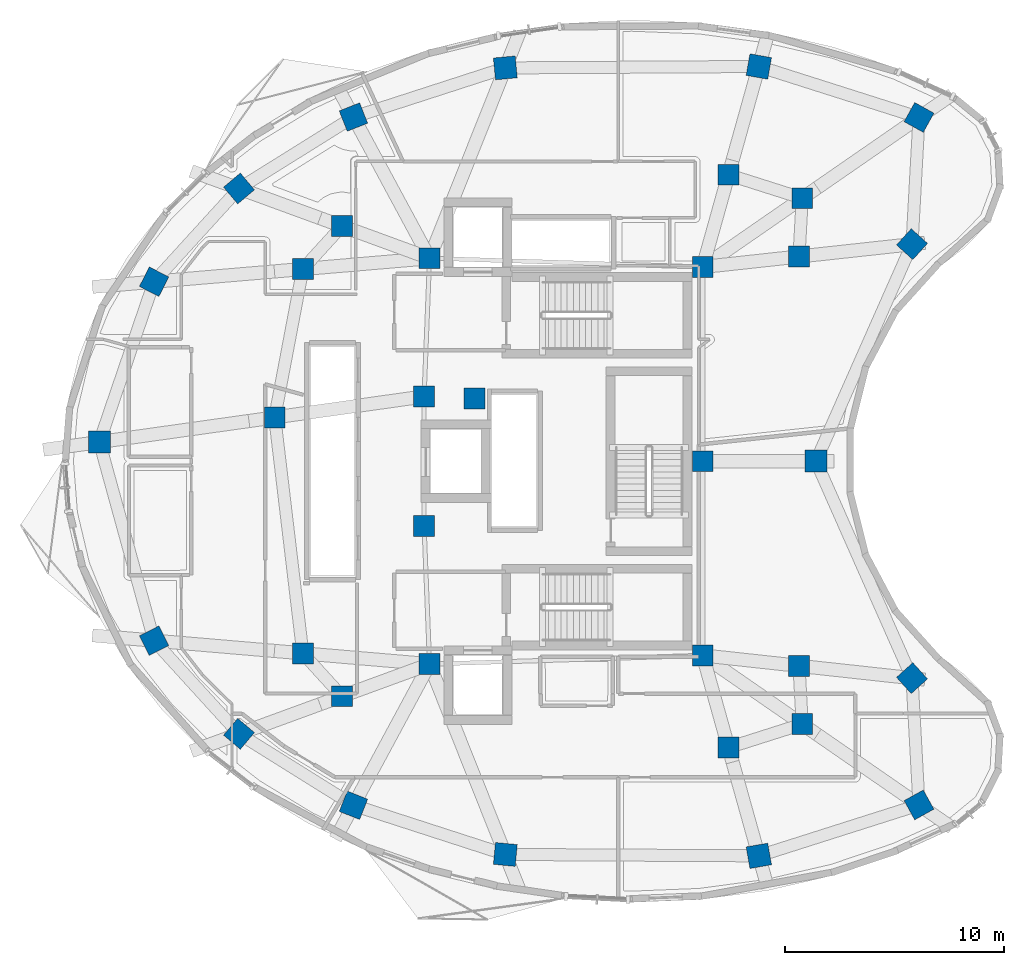
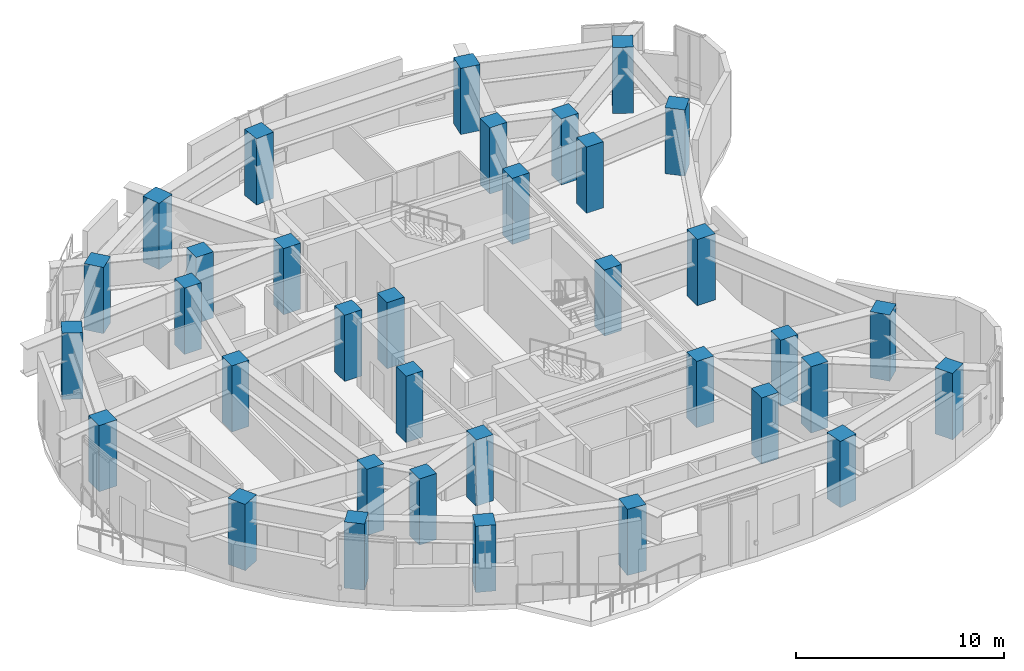
# One storey, part 1 of 13: 35 columns.
"""IFC4 building model written with IfcOpenShell, lengths in metres."""

from ifc_helpers import new_model, si_unit, direction, frame, origin, origin_2d, place, context, subcontext, project, spatial, rectangle, extrude, material, material_profile, profile_set, type_object, element, save


model = new_model("IFC4")

# Units and contexts
model_context = context("Model", 3, precision=1e-05, world=origin(), true_north=direction((0.0, 1.0)))
body_context = subcontext(model_context, "Body", "Model", "MODEL_VIEW")
ifc_project = project(units=[si_unit("LENGTHUNIT", "METRE"), si_unit("AREAUNIT", "SQUARE_METRE"), si_unit("VOLUMEUNIT", "CUBIC_METRE"), si_unit("PLANEANGLEUNIT", "RADIAN"), si_unit("MASSUNIT", "GRAM", prefix="KILO")], contexts=[model_context])

# Site, building, storey
site_placement = place(None, origin())
site = spatial("IfcSite", under=ifc_project, at=site_placement, CompositionType="ELEMENT")
building_placement = place(site_placement, origin())
building = spatial("IfcBuilding", under=site, at=building_placement, Name="Korentha Bioscience Tower", CompositionType="ELEMENT")
storey_placement = place(building_placement, frame((0.0, 0.0, 208.800048828125)))
storey = spatial("IfcBuildingStorey", under=building, at=storey_placement, Name="L48", CompositionType="ELEMENT", Elevation=208.800048828125)

# Columns
ifc_material = material(Name="Concrete C65", Category="concrete")
ifc_material_profile_1 = material_profile(ifc_material, rectangle(XDim=0.949951171875, YDim=0.949951171875, at=origin_2d()), Name="Concrete C65")
ifc_profile_set_1 = profile_set([ifc_material_profile_1], Name="Concrete C65 (COL-CP09)")
column_type_1 = type_object("IfcColumnType", Name="Core Pilaster Column RC 950x950", PredefinedType="PILASTER", material=ifc_profile_set_1)
for number, where, z_axis, x_axis, name in (
    (1, (37.550048828125, 35.85009765625, -0.00048828125), (0.0, 0.0, 1.0), (1.0, 0.0, 0.0), "L48 Core Pilaster CP-01"),
    (2, (25.10009765625, 36.25, -0.00048828125), (0.0, 0.0, 1.0), (1.0, 0.0, 0.0), "L48 Core Pilaster CP-02"),
    (3, (24.85009765625, 29.949951171875, -0.00048828125), (0.0, 0.0, 1.0), (1.0, 0.0, 0.0), "L48 Core Pilaster CP-03"),
    (4, (27.14990234375, 29.85009765625, -0.00048828125), (0.0, 0.0, 1.0), (1.0, 0.0, 0.0), "L48 Core Pilaster CP-04"),
    (5, (24.85009765625, 24.050048828125, -0.00048828125), (0.0, 0.0, 1.0), (1.0, 0.0, 0.0), "L48 Core Pilaster CP-05"),
    (6, (25.10009765625, 17.75, -0.00048828125), (0.0, 0.0, 1.0), (1.0, 0.0, 0.0), "L48 Core Pilaster CP-06"),
    (7, (37.550048828125, 18.14990234375, -0.00048828125), (0.0, 0.0, 1.0), (1.0, 0.0, 0.0), "L48 Core Pilaster CP-07"),
    (8, (37.550048828125, 27.0, -0.00048828125), (0.0, 0.0, 1.0), (1.0, 0.0, 0.0), "L48 Core Pilaster CP-08"),
):
    element("IfcColumn", number, at=place(storey_placement, frame(where, z_axis=z_axis, x_axis=x_axis)), inside=storey, type_object=column_type_1, Name=name, PredefinedType="PILASTER", context=body_context, shape_type="SweptSolid", body=[
        extrude(rectangle(XDim=0.949951171875, YDim=0.949951171875, at=origin_2d()), origin(), (0.0, 0.0, 1.0), 3.880859375),
    ])
ifc_material_profile_2 = material_profile(ifc_material, rectangle(XDim=0.949951171875, YDim=0.949951171875, at=origin_2d()), Name="Concrete C65")
ifc_profile_set_2 = profile_set([ifc_material_profile_2], Name="Concrete C65 (COL-MR09)")
column_type_2 = type_object("IfcColumnType", Name="Mid-Ring Lab Column RC 950x950", PredefinedType="COLUMN", material=ifc_profile_set_2)
for number, where, z_axis, x_axis, name in (
    (9, (42.084228515625, 38.985595703125, -0.00048828125), (0.0, 0.0, 1.0), (1.0, 0.0, 0.0), "L48 Mid-Ring Column 01"),
    (10, (38.72607421875, 40.052978515625, -0.00048828125), (0.0, 0.0, 1.0), (1.0, 0.0, 0.0), "L48 Mid-Ring Column 02"),
    (11, (21.105224609375, 37.711669921875, -0.00048828125), (0.0, 0.0, 1.0), (1.0, 0.0, 0.0), "L48 Mid-Ring Column 05"),
    (12, (19.32470703125, 35.757568359375, -0.00048828125), (0.0, 0.0, 1.0), (1.0, 0.0, 0.0), "L48 Mid-Ring Column 06"),
    (13, (18.04296875, 28.9951171875, -0.00048828125), (0.0, 0.0, 1.0), (1.0, 0.0, 0.0), "L48 Mid-Ring Column 07"),
    (14, (19.32470703125, 18.242431640625, -0.00048828125), (0.0, 0.0, 1.0), (1.0, 0.0, 0.0), "L48 Mid-Ring Column 08"),
    (15, (21.105224609375, 16.288330078125, -0.00048828125), (0.0, 0.0, 1.0), (1.0, 0.0, 0.0), "L48 Mid-Ring Column 09"),
    (16, (38.72607421875, 13.947021484375, -0.00048828125), (0.0, 0.0, 1.0), (1.0, 0.0, 0.0), "L48 Mid-Ring Column 12"),
    (17, (42.084228515625, 15.014404296875, -0.00048828125), (0.0, 0.0, 1.0), (1.0, 0.0, 0.0), "L48 Mid-Ring Column 13"),
    (18, (41.9375, 17.672119140625, -0.00048828125), (0.0, 0.0, 1.0), (1.0, 0.0, 0.0), "L48 Mid-Ring Column 14"),
    (19, (41.9375, 36.327880859375, -0.00048828125), (0.0, 0.0, 1.0), (1.0, 0.0, 0.0), "L48 Mid-Ring Column 16"),
):
    element("IfcColumn", number, at=place(storey_placement, frame(where, z_axis=z_axis, x_axis=x_axis)), inside=storey, type_object=column_type_2, Name=name, PredefinedType="COLUMN", context=body_context, shape_type="SweptSolid", body=[
        extrude(rectangle(XDim=0.949951171875, YDim=0.949951171875, at=origin_2d()), origin(), (0.0, 0.0, 1.0), 3.880859375),
    ])
ifc_material_profile_3 = material_profile(ifc_material, rectangle(XDim=1.0, YDim=1.0, at=origin_2d()), Name="Concrete C65")
ifc_profile_set_3 = profile_set([ifc_material_profile_3], Name="Concrete C65 (COL-P10)")
column_type_3 = type_object("IfcColumnType", Name="Perimeter Column RC 1000x1000", PredefinedType="COLUMN", material=ifc_profile_set_3)
for number, where, z_axis, x_axis, name in (
    (20, (47.406982421875, 42.666259765625, -0.00048828125), (0.0, 0.0, 1.0), (-0.874535078577, 0.484962262797, 0.0), "L48 Perimeter Column 01"),
    (21, (40.106689453125, 44.987060546875, -0.00048828125), (0.0, 0.0, 1.0), (-0.984868307662, 0.173304404339, 0.0), "L48 Perimeter Column 02"),
    (22, (28.5537109375, 44.923583984375, -0.00048828125), (0.0, 0.0, 1.0), (0.995462868748, 0.095150811579, 0.0), "L48 Perimeter Column 03"),
    (23, (21.631591796875, 42.68359375, -0.00048828125), (0.0, 0.0, 1.0), (0.930225540858, 0.366988341962, 0.0), "L48 Perimeter Column 04"),
    (24, (16.415771484375, 39.427490234375, -0.00048828125), (0.0, 0.0, 1.0), (0.764246456939, 0.644924300253, 0.0), "L48 Perimeter Column 05"),
    (25, (12.54541015625, 35.1796875, -0.00048828125), (0.0, 0.0, 1.0), (0.453057191132, 0.891481453292, 0.0), "L48 Perimeter Column 06"),
    (26, (10.05224609375, 27.874267578125, -0.00048828125), (0.0, 0.0, 1.0), (0.0, 1.0, 0.0), "L48 Perimeter Column 07"),
    (27, (12.54541015625, 18.8203125, -0.00048828125), (0.0, 0.0, 1.0), (-0.453057191132, 0.891481453292, 0.0), "L48 Perimeter Column 08"),
    (28, (16.415771484375, 14.572509765625, -0.00048828125), (0.0, 0.0, 1.0), (-0.764246456939, 0.644924300253, 0.0), "L48 Perimeter Column 09"),
    (29, (21.631591796875, 11.31640625, -0.00048828125), (0.0, 0.0, 1.0), (-0.930225540858, 0.366988341962, 0.0), "L48 Perimeter Column 10"),
    (30, (28.5537109375, 9.076416015625, -0.00048828125), (0.0, 0.0, 1.0), (-0.995462868748, 0.095150811579, 0.0), "L48 Perimeter Column 11"),
    (31, (40.106689453125, 9.012939453125, -0.00048828125), (0.0, 0.0, 1.0), (0.984868307662, 0.173304404339, 0.0), "L48 Perimeter Column 12"),
    (32, (47.406982421875, 11.333740234375, -0.00048828125), (0.0, 0.0, 1.0), (0.874535078577, 0.484962262797, 0.0), "L48 Perimeter Column 13"),
    (33, (47.088134765625, 17.11083984375, -0.00048828125), (0.0, 0.0, 1.0), (-0.669130606359, 0.743144825477, 0.0), "L48 Perimeter Column 14"),
    (34, (42.708984375, 27.0, -0.00048828125), (0.0, 0.0, 1.0), (0.0, 1.0, 0.0), "L48 Perimeter Column 15"),
    (35, (47.088134765625, 36.88916015625, -0.00048828125), (0.0, 0.0, 1.0), (0.669130606359, 0.743144825477, 0.0), "L48 Perimeter Column 16"),
):
    element("IfcColumn", number, at=place(storey_placement, frame(where, z_axis=z_axis, x_axis=x_axis)), inside=storey, type_object=column_type_3, Name=name, PredefinedType="COLUMN", context=body_context, shape_type="SweptSolid", body=[
        extrude(rectangle(XDim=1.0, YDim=1.0, at=origin_2d()), origin(), (0.0, 0.0, 1.0), 3.880859375),
    ])

save(model, "model.ifc")
